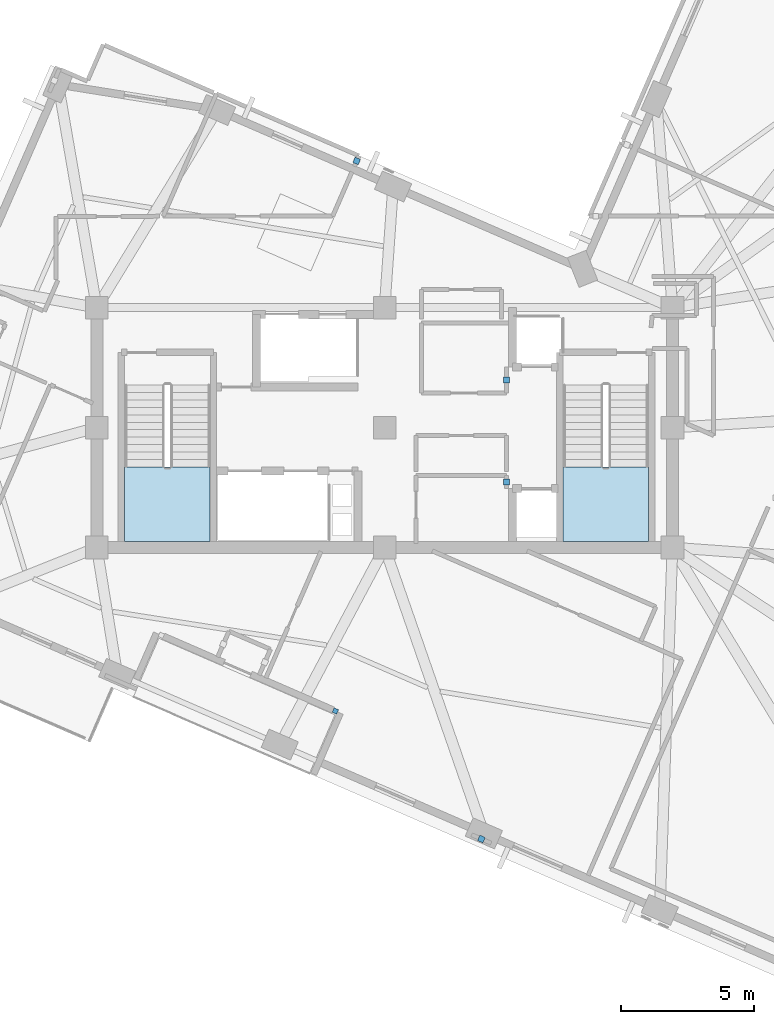
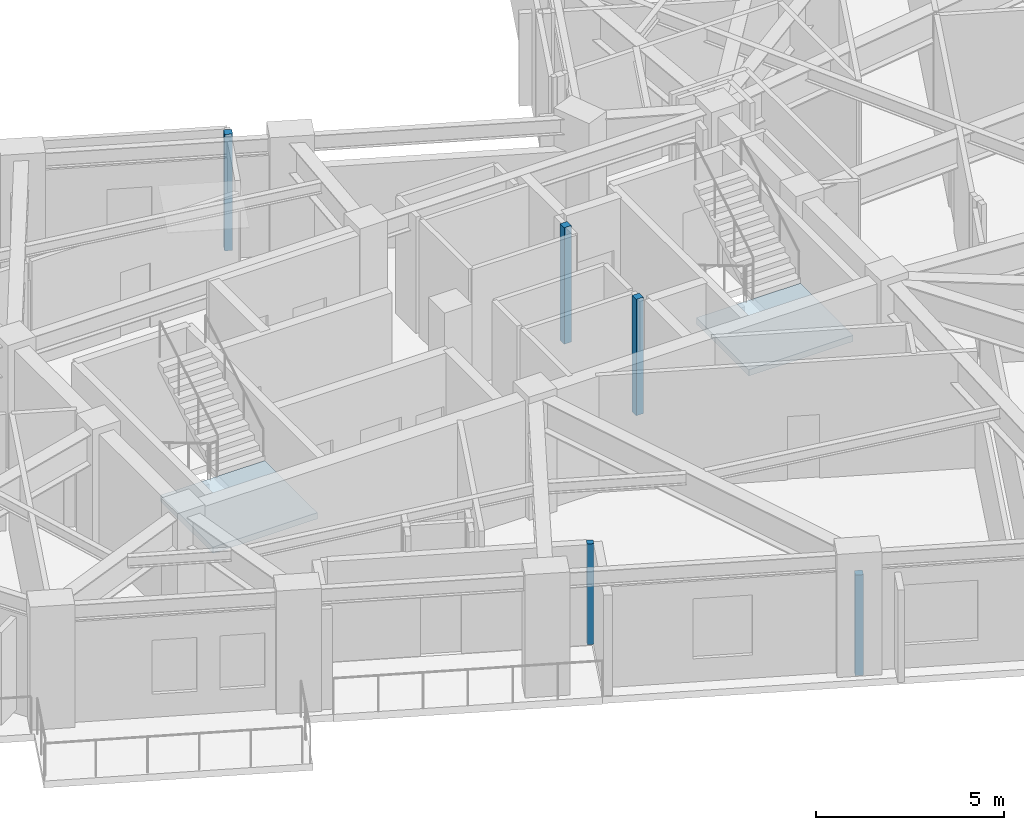
# One storey, part 3 of 12: 5 plates, 2 slabs, 2 elements without a shape of their own.
"""IFC4 building model written with IfcOpenShell, lengths in metres."""

from ifc_helpers import new_model, si_unit, direction, frame, origin, origin_2d, place, context, subcontext, project, spatial, polyline, rectangle, outline, extrude, material, layer, layer_set, type_object, element, aggregate, save


model = new_model("IFC4")

# Units and contexts
model_context = context("Model", 3, precision=1e-05, world=origin(), true_north=direction((0.0, 1.0)))
body_context = subcontext(model_context, "Body", "Model", "MODEL_VIEW")
ifc_project = project(units=[si_unit("LENGTHUNIT", "METRE"), si_unit("AREAUNIT", "SQUARE_METRE"), si_unit("VOLUMEUNIT", "CUBIC_METRE"), si_unit("PLANEANGLEUNIT", "RADIAN"), si_unit("MASSUNIT", "GRAM", prefix="KILO")], contexts=[model_context])

# Site, building, storey
site_placement = place(None, origin())
site = spatial("IfcSite", under=ifc_project, at=site_placement, CompositionType="ELEMENT")
building_placement = place(site_placement, origin())
building = spatial("IfcBuilding", under=site, at=building_placement, Name="Gaonmaruhae Medical Tower", CompositionType="ELEMENT")
storey_placement = place(building_placement, frame((0.0, 0.0, 316.60009765625)))
storey = spatial("IfcBuildingStorey", under=building, at=storey_placement, Name="L76", CompositionType="ELEMENT", Elevation=316.60009765625)

# Plates
ifc_material_1 = material(Name="Anodised aluminium 6063-T6", Category="aluminium")
ifc_layer_1 = layer(ifc_material_1, 0.011962890625)
ifc_layer_set_1 = layer_set([ifc_layer_1], Name="Anodised aluminium 6063-T6")
plate_type = type_object("IfcPlateType", Name="PP-01 Interior Partition Corner Stiffener Plate", PredefinedType="SHEET", material=ifc_layer_set_1)
plate_1_placement = place(storey_placement, frame((22.95263671875, 1.6669921875, 0.0), z_axis=(0.0, 0.0, 1.0), x_axis=(-0.917060074385, 0.398749068925, 0.0)))
element("IfcPlate", 1, at=plate_1_placement, inside=storey, type_object=plate_type, Name="L76 Partition End Jamb Post Plate PLT-L76-ENDP-TERB-0", PredefinedType="SHEET", context=body_context, shape_type="SweptSolid", body=[
    extrude(rectangle(XDim=0.179931640625, YDim=0.179931640625, at=origin_2d()), origin(), (0.0, 0.0, 1.0), 3.264892578125),
])
for number, where, z_axis, x_axis, name in (
    (2, (29.3798828125, 10.260009765625, 0.0), (0.0, 0.0, 1.0), (0.0, -1.0, 0.0), "L76 Partition Corner Stiffener Plate PLT-L76-JGP-PW003"),
    (3, (29.3798828125, 14.090087890625, 0.0), (0.0, 0.0, 1.0), (0.0, -1.0, 0.0), "L76 Partition Corner Stiffener Plate PLT-L76-JGP-PW009"),
):
    element("IfcPlate", number, at=place(storey_placement, frame(where, z_axis=z_axis, x_axis=x_axis)), inside=storey, type_object=plate_type, Name=name, PredefinedType="SHEET", context=body_context, shape_type="SweptSolid", body=[
        extrude(rectangle(XDim=0.219970703125, YDim=0.219970703125, at=origin_2d()), origin(), (0.0, 0.0, 1.0), 3.780029296875),
    ])
plate_2_placement = place(storey_placement, frame((28.431396484375, -3.136474609375, 0.0), z_axis=(0.0, 0.0, 1.0), x_axis=(-0.917053114761, 0.398765074582, 0.0)))
element("IfcPlate", 4, at=plate_2_placement, inside=storey, type_object=plate_type, Name="L76 Partition Corner Stiffener Plate PLT-L76-JGP-PW038", PredefinedType="SHEET", context=body_context, shape_type="SweptSolid", body=[
    extrude(rectangle(XDim=0.219970703125, YDim=0.219970703125, at=origin_2d()), origin(), (0.0, 0.0, 1.0), 3.264892578125),
])
plate_3_placement = place(storey_placement, frame((23.751953125, 22.302490234375, 0.0), z_axis=(0.0, 0.0, 1.0), x_axis=(-0.399741189774, -0.916628049537, 0.0)))
element("IfcPlate", 5, at=plate_3_placement, inside=storey, type_object=plate_type, Name="L76 Partition Corner Stiffener Plate PLT-L76-JGP-PW077", PredefinedType="SHEET", context=body_context, shape_type="SweptSolid", body=[
    extrude(rectangle(XDim=0.219970703125, YDim=0.219970703125, at=origin_2d()), origin(), (0.0, 0.0, 1.0), 3.780029296875),
])

# Stair, slab
ifc_material_2 = material(Name="Concrete C40/50", Category="concrete")
stair_type = type_object("IfcStairType", Name="ST-T1 Primary Core Escape Dogleg Stair", PredefinedType="TWO_QUARTER_TURN_STAIR", material=ifc_material_2)
stair_1_placement = place(storey_placement, origin())
stair_1 = element("IfcStair", 6, at=stair_1_placement, inside=storey, type_object=stair_type, Name="L76 Protected Escape Stair ST-01", PredefinedType="TWO_QUARTER_TURN_STAIR")
ifc_layer_2 = layer(ifc_material_2, 0.199951171875)
ifc_layer_set_2 = layer_set([ifc_layer_2], Name="Concrete C40/50")
slab_type = type_object("IfcSlabType", Name="SL-200 Stair & Ramp Intermediate Concrete Landing", PredefinedType="LANDING", material=ifc_layer_set_2)
slab_1_placement = place(storey_placement, frame((0.0, 0.0, 1.7998046875)))
slab_1 = element("IfcSlab", 7, at=slab_1_placement, type_object=slab_type, Name="ST-01 landing 1", PredefinedType="LANDING", context=body_context, shape_type="SweptSolid", body=[
    extrude(outline(polyline([(15.050048828125, 10.820068359375), (15.050048828125, 8.029052734375), (18.25, 8.029052734375), (18.25, 10.820068359375), (15.050048828125, 10.820068359375)])), origin(), (0.0, 0.0, 1.0), 0.2001953125),
])
aggregate(stair_1, [slab_1])

stair_2_placement = place(storey_placement, origin())
stair_2 = element("IfcStair", 8, at=stair_2_placement, inside=storey, type_object=stair_type, Name="L76 Protected Escape Stair ST-02", PredefinedType="TWO_QUARTER_TURN_STAIR")
slab_2_placement = place(storey_placement, frame((0.0, 0.0, 1.7998046875)))
slab_2 = element("IfcSlab", 9, at=slab_2_placement, type_object=slab_type, Name="ST-02 landing 1", PredefinedType="LANDING", context=body_context, shape_type="SweptSolid", body=[
    extrude(outline(polyline([(31.5, 10.820068359375), (31.5, 8.029052734375), (34.699951171875, 8.029052734375), (34.699951171875, 10.820068359375), (31.5, 10.820068359375)])), origin(), (0.0, 0.0, 1.0), 0.2001953125),
])
aggregate(stair_2, [slab_2])

save(model, "model.ifc")
